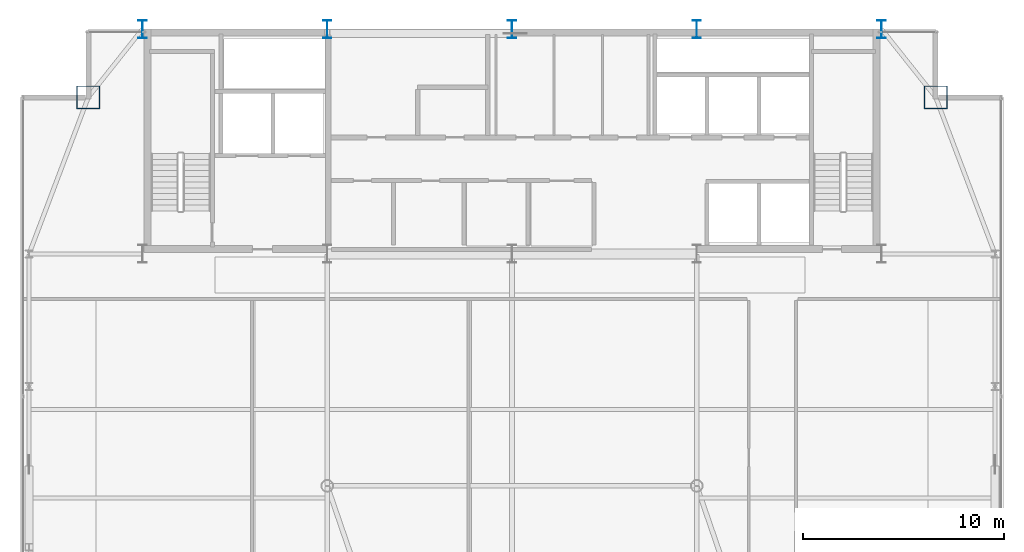
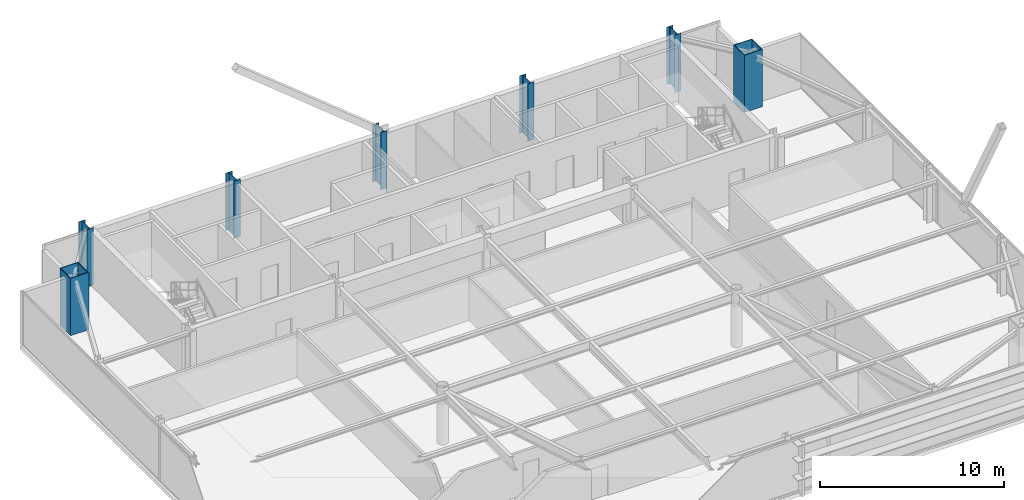
# One storey, part 3 of 27: 7 columns.
"""IFC4 building model written with IfcOpenShell, lengths in metres."""

import ifcopenshell
import ifcopenshell.guid

model = None  # the IFC model being written
_history = None  # IfcOwnerHistory: only IFC2X3 demands one
_inside = {}  # id of a spatial element -> (the spatial element, [elements in it])
_under = {}  # id of a project, library or spatial element -> (it, [spatial elements below it])
_declared = {}  # id of a project -> (the project, [libraries it declares])
_typed = {}  # id of a type object -> (the type object, [elements of that type])
_made_of = {}  # id of a material, layer set ... -> (it, [elements and type objects made of it])


def new_model(schema):
    """Start an empty IFC model of exactly this schema.

    Asked for "IFC4X3", IfcOpenShell would pick the latest addendum, in which some entities
    have other attributes; the version numbers below select the first issue.
    IFC2X3 requires an IfcOwnerHistory on every rooted entity: one is made here for all.
    """
    global model, _history
    if schema == "IFC4X3":
        model = ifcopenshell.file(schema_version=(4, 3, 0, 0))
    else:
        model = ifcopenshell.file(schema=schema)
    _inside.clear()
    _under.clear()
    _declared.clear()
    _typed.clear()
    _made_of.clear()
    _history = None
    if model.schema == "IFC2X3":
        org = make("IfcOrganization", Name="unknown")
        user = make(
            "IfcPersonAndOrganization",
            ThePerson=make("IfcPerson", FamilyName="unknown"),
            TheOrganization=org,
        )
        app = make(
            "IfcApplication",
            ApplicationDeveloper=org,
            Version="unknown",
            ApplicationFullName="unknown",
            ApplicationIdentifier="unknown",
        )
        _history = make(
            "IfcOwnerHistory",
            OwningUser=user,
            OwningApplication=app,
            ChangeAction="ADDED",
            CreationDate=0,
        )
    return model


def make(cls, **values):
    """One entity of the class cls with the attributes given. An attribute that is None is left unset."""
    return model.create_entity(
        cls, **{name: value for name, value in values.items() if value is not None}
    )


def rooted(cls, **values):
    """An entity with a GlobalId (a new one), such as an element, a storey or a relation."""
    return make(cls, GlobalId=ifcopenshell.guid.new(), OwnerHistory=_history, **values)


def si_unit(unit_type, name, prefix=None):
    """IfcSIUnit, for example si_unit("LENGTHUNIT", "METRE", prefix="MILLI")."""
    return make("IfcSIUnit", UnitType=unit_type, Prefix=prefix, Name=name)


def assignment(units):
    """IfcUnitAssignment: the units of a project."""
    return None if units is None else make("IfcUnitAssignment", Units=units)


def point(xyz):
    """IfcCartesianPoint."""
    return None if xyz is None else make("IfcCartesianPoint", Coordinates=xyz)


def direction(xyz):
    """IfcDirection."""
    return None if xyz is None else make("IfcDirection", DirectionRatios=xyz)


def frame(location, z_axis=None, x_axis=None):
    """IfcAxis2Placement3D, a coordinate frame: its origin and axes. An axis left out is left unset."""
    return make(
        "IfcAxis2Placement3D",
        Location=point(location),
        Axis=direction(z_axis),
        RefDirection=direction(x_axis),
    )


def frame_2d(location, x_axis=None):
    """IfcAxis2Placement2D, a coordinate frame in the plane: its origin and x axis."""
    return make(
        "IfcAxis2Placement2D", Location=point(location), RefDirection=direction(x_axis)
    )


def origin():
    """The frame at (0, 0, 0) with its axes left unset."""
    return frame((0.0, 0.0, 0.0))


def origin_2d():
    """The frame at (0, 0) in the plane with its x axis left unset."""
    return frame_2d((0.0, 0.0))


def place(relative_to, where):
    """IfcLocalPlacement: puts the frame where relative to a parent placement (None: the world)."""
    return make(
        "IfcLocalPlacement", PlacementRelTo=relative_to, RelativePlacement=where
    )


def context(
    kind, dimensions, precision=None, world=None, true_north=None, identifier=None
):
    """IfcGeometricRepresentationContext, for example the 3D "Model" context."""
    return make(
        "IfcGeometricRepresentationContext",
        ContextIdentifier=identifier,
        ContextType=kind,
        CoordinateSpaceDimension=dimensions,
        Precision=precision,
        WorldCoordinateSystem=world,
        TrueNorth=true_north,
    )


def subcontext(parent, identifier, kind, view, scale=None):
    """IfcGeometricRepresentationSubContext, for example "Body" below "Model"."""
    return make(
        "IfcGeometricRepresentationSubContext",
        ContextIdentifier=identifier,
        ContextType=kind,
        ParentContext=parent,
        TargetScale=scale,
        TargetView=view,
    )


def project(units=None, contexts=None):
    """IfcProject with its units and contexts."""
    return rooted(
        "IfcProject",
        Name="project",
        RepresentationContexts=contexts,
        UnitsInContext=assignment(units),
    )


def spatial(cls, under=None, at=None, **own):
    """A site, building, storey or space (cls), placed at a placement, below another one or the project."""
    s = rooted(cls, ObjectPlacement=at, **own)
    if under is not None:
        _under.setdefault(under.id(), (under, []))[1].append(s)
    return s


def profile(cls, at=None, kind="AREA", **sizes):
    """A parametric profile (cls). Its sizes go by their IFC names, for example OverallWidth=200.0."""
    return make(cls, ProfileType=kind, Position=at, **sizes)


def hollow_rectangle(**sizes):
    """IfcRectangleHollowProfileDef."""
    return profile("IfcRectangleHollowProfileDef", **sizes)


def i_section(**sizes):
    """IfcIShapeProfileDef."""
    return profile("IfcIShapeProfileDef", **sizes)


def extrude(swept, where, along, depth):
    """IfcExtrudedAreaSolid: the profile swept, set in the frame where, extruded along a direction by depth."""
    return make(
        "IfcExtrudedAreaSolid",
        SweptArea=swept,
        Position=where,
        ExtrudedDirection=direction(along),
        Depth=depth,
    )


def shape(context_of_items, identifier, shape_type, items):
    """IfcShapeRepresentation: the items that make up one representation, for example the "Body"."""
    return make(
        "IfcShapeRepresentation",
        ContextOfItems=context_of_items,
        RepresentationIdentifier=identifier,
        RepresentationType=shape_type,
        Items=items,
    )


def source(mapping_origin, context_of_items, identifier, shape_type, items):
    """IfcRepresentationMap: a shape defined once, which mapped items show again and again."""
    return make(
        "IfcRepresentationMap",
        MappingOrigin=mapping_origin,
        MappedRepresentation=shape(context_of_items, identifier, shape_type, items),
    )


def transform(
    local_origin,
    x_axis=None,
    y_axis=None,
    z_axis=None,
    scale=None,
    scale2=None,
    scale3=None,
    uniform=True,
):
    """IfcCartesianTransformationOperator3D, or its non-uniform kind. x_axis, y_axis, z_axis: its Axis1, 2, 3."""
    if uniform:
        return make(
            "IfcCartesianTransformationOperator3D",
            Axis1=direction(x_axis),
            Axis2=direction(y_axis),
            LocalOrigin=point(local_origin),
            Scale=scale,
            Axis3=direction(z_axis),
        )
    return make(
        "IfcCartesianTransformationOperator3DnonUniform",
        Axis1=direction(x_axis),
        Axis2=direction(y_axis),
        LocalOrigin=point(local_origin),
        Scale=scale,
        Axis3=direction(z_axis),
        Scale2=scale2,
        Scale3=scale3,
    )


def mapped(mapping_source, mapping_target):
    """IfcMappedItem: shows the shape of a source again, moved by a transform."""
    return make(
        "IfcMappedItem", MappingSource=mapping_source, MappingTarget=mapping_target
    )


def material(Name=None, Category=None):
    """IfcMaterial."""
    return make("IfcMaterial", Name=Name, Category=Category)


def material_profile(
    of_material, cross_section, Name=None, Category=None, Priority=None
):
    """IfcMaterialProfile: a cross section and its material."""
    return make(
        "IfcMaterialProfile",
        Name=Name,
        Material=of_material,
        Profile=cross_section,
        Priority=Priority,
        Category=Category,
    )


def profile_set(profiles, Name=None, composite=None):
    """IfcMaterialProfileSet."""
    return make(
        "IfcMaterialProfileSet",
        Name=Name,
        MaterialProfiles=profiles,
        CompositeProfile=composite,
    )


def made_of(thing, what):
    """Note that an element or type object is made of a material, layer set ...; save() writes the relation."""
    if what is not None:
        _made_of.setdefault(what.id(), (what, []))[1].append(thing)
    return thing


def type_object(cls, material=None, **own):
    """A type object (cls), such as IfcWallType, which elements share."""
    return made_of(rooted(cls, **own), material)


def type_shapes(of_type, sources):
    """Give a type object the sources (RepresentationMaps) that its elements show as mapped items."""
    of_type.RepresentationMaps = sources


def element(
    cls,
    number,
    at=None,
    inside=None,
    cuts=None,
    type_object=None,
    material=None,
    context=None,
    identifier="Body",
    shape_type=None,
    held_by="IfcProductDefinitionShape",
    body=None,
    shapes=None,
    **own,
):
    """One element of the class cls, such as IfcWall. Its Tag is "e" and its number.

    at: its placement. inside: the storey or other place that contains it. cuts: it is an
    opening in that element (IfcRelVoidsElement). A single representation is given by context,
    identifier, shape_type and body (its items); several are given by shapes. held_by: the class
    of the entity that holds the representations. save() writes the other relations.
    """
    e = rooted(cls, Tag="e%d" % number, ObjectPlacement=at, **own)
    if body is not None:
        shapes = [shape(context, identifier, shape_type, body)]
    if shapes is not None:
        e.Representation = make(held_by, Representations=shapes)
    if inside is not None:
        _inside.setdefault(inside.id(), (inside, []))[1].append(e)
    if cuts is not None:
        rooted(
            "IfcRelVoidsElement", RelatingBuildingElement=cuts, RelatedOpeningElement=e
        )
    if type_object is not None:
        _typed.setdefault(type_object.id(), (type_object, []))[1].append(e)
    return made_of(e, material)


def aggregate(whole, parts):
    """IfcRelAggregates: a whole, such as a stair, and the parts it consists of."""
    return rooted("IfcRelAggregates", RelatingObject=whole, RelatedObjects=parts)


def save(model, path):
    """Write the relations noted so far, then the file.

    IfcRelAggregates (storeys below a building ...), IfcRelContainedInSpatialStructure (elements
    in a storey), IfcRelDefinesByType, IfcRelAssociatesMaterial and IfcRelDeclares: one each for
    every whole, place, type object, material and project.
    """
    for whole, parts in _under.values():
        aggregate(whole, parts)
    for where, things in _inside.values():
        rooted(
            "IfcRelContainedInSpatialStructure",
            RelatedElements=things,
            RelatingStructure=where,
        )
    for kind, things in _typed.values():
        rooted("IfcRelDefinesByType", RelatedObjects=things, RelatingType=kind)
    for what, things in _made_of.values():
        rooted("IfcRelAssociatesMaterial", RelatedObjects=things, RelatingMaterial=what)
    for by, libraries in _declared.values():
        rooted("IfcRelDeclares", RelatingContext=by, RelatedDefinitions=libraries)
    model.write(path)


model = new_model("IFC4")

# Units and contexts
model_context = context("Model", 3, precision=1e-05, world=origin(), true_north=direction((0.0, 1.0)))
body_context = subcontext(model_context, "Body", "Model", "MODEL_VIEW")
ifc_project = project(units=[si_unit("LENGTHUNIT", "METRE"), si_unit("AREAUNIT", "SQUARE_METRE"), si_unit("VOLUMEUNIT", "CUBIC_METRE"), si_unit("PLANEANGLEUNIT", "RADIAN"), si_unit("MASSUNIT", "GRAM", prefix="KILO")], contexts=[model_context])

# Site, building, storey
site_placement = place(None, origin())
site = spatial("IfcSite", under=ifc_project, at=site_placement, CompositionType="ELEMENT")
building_placement = place(site_placement, origin())
building = spatial("IfcBuilding", under=site, at=building_placement, Name="Varnel Quay Broadcast Tower", CompositionType="ELEMENT")
storey_placement = place(building_placement, frame((0.0, 0.0, 203.60009765625)))
storey = spatial("IfcBuildingStorey", under=building, at=storey_placement, Name="L50", CompositionType="ELEMENT", Elevation=203.60009765625)

# Columns
ifc_material = material(Name="Structural Steel CSA G40.21 350WT", Category="steel")
ifc_material_profile_1 = material_profile(ifc_material, i_section(OverallWidth=0.39990234375, OverallDepth=0.89990234375, WebThickness=0.01611328125, FlangeThickness=0.028076171875, FilletRadius=0.01611328125, at=origin_2d()), Name="WWF900X309")
ifc_profile_set_1 = profile_set([ifc_material_profile_1], Name="Structural Steel CSA G40.21 350WT")
column_type_1 = type_object("IfcColumnType", Name="Col_WWF900X309", PredefinedType="COLUMN", material=ifc_profile_set_1)
shared_shape_1 = source(origin(), body_context, "Body", "SweptSolid", [
    extrude(i_section(OverallWidth=0.39990234375, OverallDepth=0.89990234375, WebThickness=0.01611328125, FlangeThickness=0.028076171875, FilletRadius=0.01611328125, at=origin_2d()), origin(), (0.0, 0.0, 1.0), 3.7998046875),
])
type_shapes(column_type_1, [shared_shape_1])
for number, where, z_axis, x_axis, name in (
    (1, (15.60009765625, 46.800048828125, 0.0), (0.0, 0.0, 1.0), (1.0, 0.0, 0.0), "L50 Column CC-N1"),
    (2, (24.800048828125, 46.800048828125, 0.0), (0.0, 0.0, 1.0), (1.0, 0.0, 0.0), "L50 Column CC-N2"),
    (3, (34.0, 46.800048828125, 0.0), (0.0, 0.0, 1.0), (1.0, 0.0, 0.0), "L50 Column CC-N3"),
    (4, (43.199951171875, 46.800048828125, 0.0), (0.0, 0.0, 1.0), (1.0, 0.0, 0.0), "L50 Column CC-N4"),
    (5, (52.39990234375, 46.800048828125, 0.0), (0.0, 0.0, 1.0), (1.0, 0.0, 0.0), "L50 Column CC-N5"),
):
    element("IfcColumn", number, at=place(storey_placement, frame(where, z_axis=z_axis, x_axis=x_axis)), inside=storey, type_object=column_type_1, Name=name, PredefinedType="COLUMN", context=body_context, shape_type="MappedRepresentation", body=[
        mapped(shared_shape_1, transform((0.0, 0.0, 0.0), x_axis=(1.0, 0.0, 0.0), y_axis=(0.0, 1.0, 0.0), z_axis=(0.0, 0.0, 1.0), scale=1.0)),
    ])
ifc_material_profile_2 = material_profile(ifc_material, hollow_rectangle(XDim=1.14990234375, YDim=1.14990234375, WallThickness=0.044921875, at=origin_2d()), Name="BOX1150X1150X45")
ifc_profile_set_2 = profile_set([ifc_material_profile_2], Name="Structural Steel CSA G40.21 350WT")
column_type_2 = type_object("IfcColumnType", Name="Col_BOX1150X1150X45", PredefinedType="COLUMN", material=ifc_profile_set_2)
shared_shape_2 = source(origin(), body_context, "Body", "SweptSolid", [
    extrude(hollow_rectangle(XDim=1.14990234375, YDim=1.14990234375, WallThickness=0.044921875, at=origin_2d()), origin(), (0.0, 0.0, 1.0), 3.7998046875),
])
type_shapes(column_type_2, [shared_shape_2])
for number, where, z_axis, x_axis, name in (
    (6, (55.10009765625, 43.39990234375, 0.0), (0.0, 0.0, 1.0), (1.0, 0.0, 0.0), "L50 Column MC-NE"),
    (7, (12.89990234375, 43.39990234375, 0.0), (0.0, 0.0, 1.0), (1.0, 0.0, 0.0), "L50 Column MC-NW"),
):
    element("IfcColumn", number, at=place(storey_placement, frame(where, z_axis=z_axis, x_axis=x_axis)), inside=storey, type_object=column_type_2, Name=name, PredefinedType="COLUMN", context=body_context, shape_type="MappedRepresentation", body=[
        mapped(shared_shape_2, transform((0.0, 0.0, 0.0), x_axis=(1.0, 0.0, 0.0), y_axis=(0.0, 1.0, 0.0), z_axis=(0.0, 0.0, 1.0), scale=1.0)),
    ])

save(model, "model.ifc")
